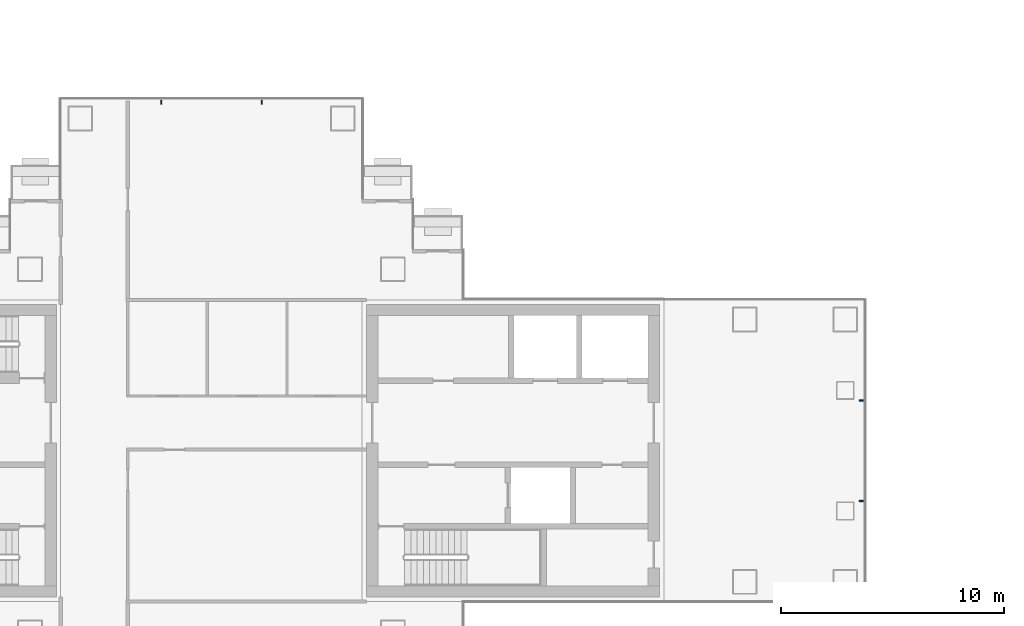
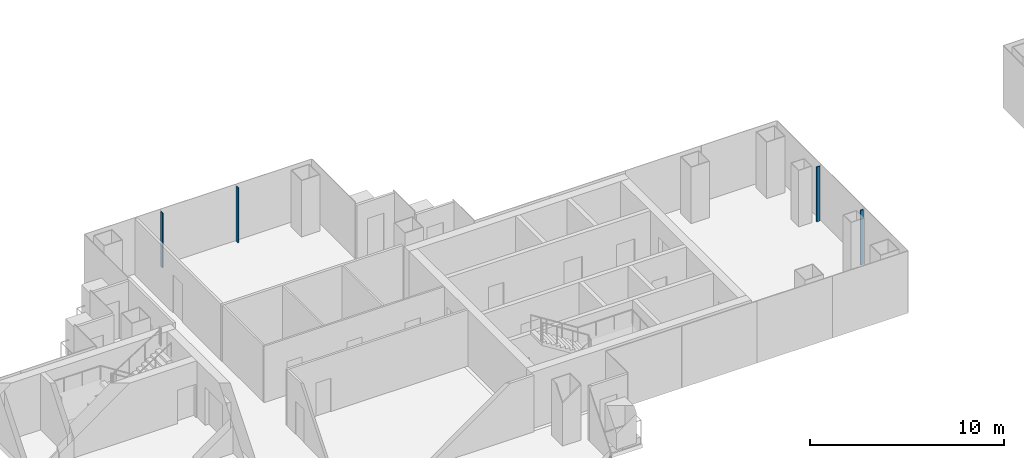
# One storey, part 4 of 17: 4 members, 2 elements without a shape of their own.
"""IFC4 building model written with IfcOpenShell, lengths in metres."""

from ifc_helpers import new_model, si_unit, direction, frame, origin, origin_2d, place, context, subcontext, project, spatial, rectangle, extrude, material, layer, layer_set, material_profile, profile_set, type_object, element, aggregate, save


model = new_model("IFC4")

# Units and contexts
model_context = context("Model", 3, precision=1e-05, world=origin(), true_north=direction((0.0, 1.0)))
body_context = subcontext(model_context, "Body", "Model", "MODEL_VIEW")
ifc_project = project(units=[si_unit("LENGTHUNIT", "METRE"), si_unit("AREAUNIT", "SQUARE_METRE"), si_unit("VOLUMEUNIT", "CUBIC_METRE"), si_unit("PLANEANGLEUNIT", "RADIAN"), si_unit("MASSUNIT", "GRAM", prefix="KILO")], contexts=[model_context])

# Site, building, storey
site_placement = place(None, origin())
site = spatial("IfcSite", under=ifc_project, at=site_placement, CompositionType="ELEMENT")
building_placement = place(site_placement, origin())
building = spatial("IfcBuilding", under=site, at=building_placement, Name="Shamsa Quay Exchange Towers", CompositionType="ELEMENT")
storey_placement = place(building_placement, frame((0.0, 0.0, 170.10009765625)))
storey = spatial("IfcBuildingStorey", under=building, at=storey_placement, Name="L40", CompositionType="ELEMENT", Elevation=170.10009765625)

# Curtain wall, members
ifc_material = material(Name="Aluminium EN AW-6063 T6, black anodised", Category="aluminium")
ifc_layer = layer(ifc_material, 0.280029296875)
ifc_layer_set = layer_set([ifc_layer], Name="CW-1 UNITISED VISION GLASS")
curtain_wall_type = type_object("IfcCurtainWallType", Name="CW-1 UNITISED VISION GLASS", PredefinedType="NOTDEFINED", material=ifc_layer_set)
curtain_wall_1_placement = place(storey_placement, origin())
curtain_wall_1 = element("IfcCurtainWall", 1, at=curtain_wall_1_placement, inside=storey, type_object=curtain_wall_type, Name="CW1 T1-END-U+ L40", PredefinedType="NOTDEFINED")
ifc_material_profile = material_profile(ifc_material, rectangle(XDim=0.179931640625, YDim=0.06005859375, at=origin_2d()), Name="MU60x180")
ifc_profile_set = profile_set([ifc_material_profile], Name="Aluminium EN AW-6063 T6, black anodised")
member_type = type_object("IfcMemberType", Name="CW1 MULLION 60x180", PredefinedType="MULLION", material=ifc_profile_set)
member_1_placement = place(storey_placement, frame((-4.64990234375, -2.25, 0.0), z_axis=(0.0, 0.0, 1.0), x_axis=(-1.0, 0.0, 0.0)))
member_1 = element("IfcMember", 2, at=member_1_placement, type_object=member_type, Name="CW1 mullion", PredefinedType="MULLION", context=body_context, shape_type="SweptSolid", body=[
    extrude(rectangle(XDim=0.179931640625, YDim=0.06005859375, at=origin_2d()), origin(), (0.0, 0.0, 1.0), 3.449951171875),
])
member_2_placement = place(storey_placement, frame((-4.64990234375, 2.25, 0.0), z_axis=(0.0, 0.0, 1.0), x_axis=(-1.0, 0.0, 0.0)))
member_2 = element("IfcMember", 3, at=member_2_placement, type_object=member_type, Name="CW1 mullion", PredefinedType="MULLION", context=body_context, shape_type="SweptSolid", body=[
    extrude(rectangle(XDim=0.179931640625, YDim=0.06005859375, at=origin_2d()), origin(), (0.0, 0.0, 1.0), 3.449951171875),
])
aggregate(curtain_wall_1, [member_1, member_2])

curtain_wall_2_placement = place(storey_placement, origin())
curtain_wall_2 = element("IfcCurtainWall", 4, at=curtain_wall_2_placement, inside=storey, type_object=curtain_wall_type, Name="CW1 T1-END-V+ L40", PredefinedType="NOTDEFINED")
member_3_placement = place(storey_placement, frame((-31.5, 15.60009765625, 0.0), z_axis=(0.0, 0.0, 1.0), x_axis=(0.0, -1.0, 0.0)))
member_3 = element("IfcMember", 5, at=member_3_placement, type_object=member_type, Name="CW1 mullion", PredefinedType="MULLION", context=body_context, shape_type="SweptSolid", body=[
    extrude(rectangle(XDim=0.179931640625, YDim=0.06005859375, at=origin_2d()), origin(), (0.0, 0.0, 1.0), 3.449951171875),
])
member_4_placement = place(storey_placement, frame((-36.0, 15.60009765625, 0.0), z_axis=(0.0, 0.0, 1.0), x_axis=(0.0, -1.0, 0.0)))
member_4 = element("IfcMember", 6, at=member_4_placement, type_object=member_type, Name="CW1 mullion", PredefinedType="MULLION", context=body_context, shape_type="SweptSolid", body=[
    extrude(rectangle(XDim=0.179931640625, YDim=0.06005859375, at=origin_2d()), origin(), (0.0, 0.0, 1.0), 3.449951171875),
])
aggregate(curtain_wall_2, [member_3, member_4])

save(model, "model.ifc")
